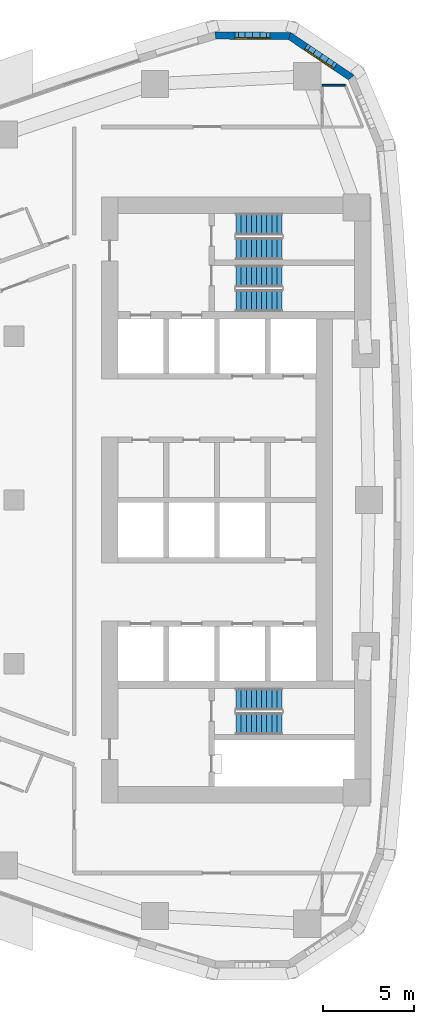
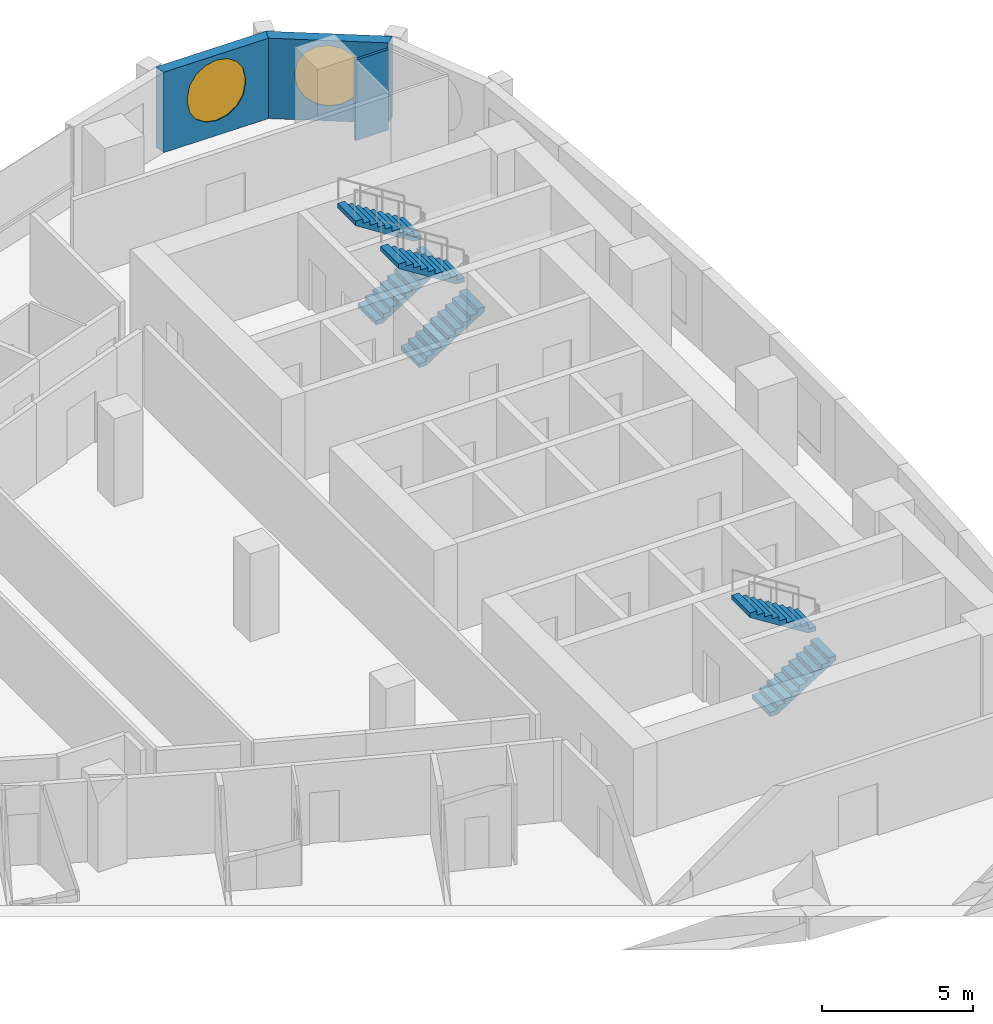
# One storey, part 13 of 17: 6 stair flights, 3 walls, 2 windows, 2 openings, 3 elements without a shape of their own.
"""IFC4 building model written with IfcOpenShell, lengths in metres."""

from ifc_helpers import new_model, si_unit, direction, frame, frame_2d, origin, place, context, subcontext, project, spatial, polyline, rectangle, outline, extrude, material, layer, layer_set, type_object, element, fill, aggregate, save


model = new_model("IFC4")

# Units and contexts
model_context = context("Model", 3, precision=1e-05, world=origin(), true_north=direction((0.0, 1.0)))
body_context = subcontext(model_context, "Body", "Model", "MODEL_VIEW")
ifc_project = project(units=[si_unit("LENGTHUNIT", "METRE"), si_unit("AREAUNIT", "SQUARE_METRE"), si_unit("VOLUMEUNIT", "CUBIC_METRE"), si_unit("PLANEANGLEUNIT", "RADIAN"), si_unit("MASSUNIT", "GRAM", prefix="KILO")], contexts=[model_context])

# Site, building, storey
site_placement = place(None, origin())
site = spatial("IfcSite", under=ifc_project, at=site_placement, CompositionType="ELEMENT")
building_placement = place(site_placement, origin())
building = spatial("IfcBuilding", under=site, at=building_placement, Name="Ostrand Prow Hotel Tower", CompositionType="ELEMENT")
storey_placement = place(building_placement, frame((0.0, 0.0, 137.300048828125)))
storey = spatial("IfcBuildingStorey", under=building, at=storey_placement, Name="L33", CompositionType="ELEMENT", Elevation=137.300048828125)

# Wall
ifc_material_1 = material(Name="Plasterboard partition")
ifc_layer_1 = layer(ifc_material_1, 0.10009765625)
ifc_layer_set_1 = layer_set([ifc_layer_1], Name="Plasterboard partition")
wall_type_1 = type_object("IfcWallType", Name="Partition 100 bathroom wall", PredefinedType="PARTITIONING", material=ifc_layer_set_1)
wall_1_placement = place(storey_placement, frame((61.9375, 22.800048828125, 0.0), z_axis=(0.0, 0.0, 1.0), x_axis=(1.0, 0.0, 0.0)))
element("IfcWall", 1, at=wall_1_placement, inside=storey, type_object=wall_type_1, Name="BATHROOM WALL", PredefinedType="PARTITIONING", context=body_context, shape_type="SweptSolid", body=[
    extrude(rectangle(XDim=1.2607421875, YDim=0.10009765625, at=frame_2d((0.63037109375, 0.0))), origin(), (0.0, 0.0, 1.0), 3.25),
])

# Wall, opening, window
ifc_material_2 = material(Name="Precast concrete C40/50", Category="concrete")
ifc_layer_2 = layer(ifc_material_2, 0.39990234375)
ifc_layer_set_2 = layer_set([ifc_layer_2], Name="Precast concrete C40/50")
wall_type_2 = type_object("IfcWallType", Name="Stone-faced precast wall 400 mm", PredefinedType="NOTDEFINED", material=ifc_layer_set_2)
wall_2_placement = place(storey_placement, frame((63.5302734375, 23.218505859375, 0.0), z_axis=(0.0, 0.0, 1.0), x_axis=(-0.829642062482, 0.558295663749, 0.0)))
wall_2 = element("IfcWall", 2, at=wall_2_placement, inside=storey, type_object=wall_type_2, Name="Stone-faced wall back 15", PredefinedType="NOTDEFINED", context=body_context, shape_type="SweptSolid", body=[
    extrude(outline(polyline([(-0.060302734375, -0.199951171875), (4.144287109375, -0.199951171875), (4.023681640625, 0.199951171875), (0.060302734375, 0.199951171875), (-0.060302734375, -0.199951171875)])), origin(), (0.0, 0.0, 1.0), 3.25),
])
opening_1_placement = place(wall_2_placement, frame((0.94189453125, 0.0, 0.60009765625)))
opening_1 = element("IfcOpeningElement", 3, at=opening_1_placement, cuts=wall_2, Name="Opening WP2", PredefinedType="OPENING", context=body_context, shape_type="SweptSolid", body=[
    extrude(outline(polyline([(0.0, 1.35009765625), (0.083740234375, 1.77099609375), (0.322265625, 2.127685546875), (0.678955078125, 2.3662109375), (1.10009765625, 2.449951171875), (1.52099609375, 2.3662109375), (1.877685546875, 2.127685546875), (2.1162109375, 1.77099609375), (2.199951171875, 1.35009765625), (2.199951171875, 1.10009765625), (2.1162109375, 0.678955078125), (1.877685546875, 0.322265625), (1.52099609375, 0.083740234375), (1.10009765625, 0.0), (0.678955078125, 0.083740234375), (0.322265625, 0.322265625), (0.083740234375, 0.678955078125), (0.0, 1.099853515625), (0.0, 1.35009765625)])), frame((0.0, 0.2099609375, 0.0), z_axis=(0.0, -1.0, 0.0), x_axis=(1.0, 0.0, 0.0)), (0.0, 0.0, 1.0), 0.419921875),
])
ifc_material_3 = material(Name="Insulated glass in bronze frame", Category="glass")
window_type = type_object("IfcWindowType", Name="Round-ended prow lounge window 2200x2450", PartitioningType="SINGLE_PANEL", PredefinedType="WINDOW", material=ifc_material_3)
window_1_placement = place(opening_1_placement, origin())
window_1 = element("IfcWindow", 4, at=window_1_placement, inside=storey, type_object=window_type, Name="Window back 15.1", OverallHeight=2.449951171875, OverallWidth=2.199951171875, PartitioningType="SINGLE_PANEL", PredefinedType="WINDOW", context=body_context, shape_type="SweptSolid", body=[
    extrude(outline(polyline([(0.0, 1.35009765625), (0.083740234375, 1.77099609375), (0.322265625, 2.127685546875), (0.678955078125, 2.3662109375), (1.10009765625, 2.449951171875), (1.52099609375, 2.3662109375), (1.877685546875, 2.127685546875), (2.1162109375, 1.77099609375), (2.199951171875, 1.35009765625), (2.199951171875, 1.10009765625), (2.1162109375, 0.678955078125), (1.877685546875, 0.322265625), (1.52099609375, 0.083740234375), (1.10009765625, 0.0), (0.678955078125, 0.083740234375), (0.322265625, 0.322265625), (0.083740234375, 0.678955078125), (0.0, 1.099853515625), (0.0, 1.35009765625)])), frame((0.0, 0.169921875, 0.0), z_axis=(0.0, -1.0, 0.0), x_axis=(1.0, 0.0, 0.0)), (0.0, 0.0, 1.0), 0.06005859375),
])
fill(opening_1, window_1)

wall_3_placement = place(storey_placement, frame((60.14208984375, 25.49853515625, 0.0), z_axis=(0.0, 0.0, 1.0), x_axis=(-0.99996933771, 0.007830941131, 0.0)))
wall_3 = element("IfcWall", 5, at=wall_3_placement, inside=storey, type_object=wall_type_2, Name="Stone-faced wall back 16", PredefinedType="NOTDEFINED", context=body_context, shape_type="SweptSolid", body=[
    extrude(outline(polyline([(-0.060302734375, -0.199951171875), (4.11474609375, -0.199951171875), (4.0537109375, 0.199951171875), (0.060302734375, 0.199951171875), (-0.060302734375, -0.199951171875)])), origin(), (0.0, 0.0, 1.0), 3.25),
])
opening_2_placement = place(wall_3_placement, frame((0.94189453125, 0.0, 0.60009765625)))
opening_2 = element("IfcOpeningElement", 6, at=opening_2_placement, cuts=wall_3, Name="Opening WP2", PredefinedType="OPENING", context=body_context, shape_type="SweptSolid", body=[
    extrude(outline(polyline([(0.0, 1.35009765625), (0.083740234375, 1.77099609375), (0.322265625, 2.127685546875), (0.678955078125, 2.3662109375), (1.10009765625, 2.449951171875), (1.52099609375, 2.3662109375), (1.877685546875, 2.127685546875), (2.1162109375, 1.77099609375), (2.199951171875, 1.35009765625), (2.199951171875, 1.10009765625), (2.1162109375, 0.678955078125), (1.877685546875, 0.322265625), (1.52099609375, 0.083740234375), (1.10009765625, 0.0), (0.678955078125, 0.083740234375), (0.322265625, 0.322265625), (0.083740234375, 0.678955078125), (0.0, 1.099853515625), (0.0, 1.35009765625)])), frame((0.0, 0.2099609375, 0.0), z_axis=(0.0, -1.0, 0.0), x_axis=(1.0, 0.0, 0.0)), (0.0, 0.0, 1.0), 0.419921875),
])
window_2_placement = place(opening_2_placement, origin())
window_2 = element("IfcWindow", 7, at=window_2_placement, inside=storey, type_object=window_type, Name="Window back 16.1", OverallHeight=2.449951171875, OverallWidth=2.199951171875, PartitioningType="SINGLE_PANEL", PredefinedType="WINDOW", context=body_context, shape_type="SweptSolid", body=[
    extrude(outline(polyline([(0.0, 1.35009765625), (0.083740234375, 1.77099609375), (0.322265625, 2.127685546875), (0.678955078125, 2.3662109375), (1.10009765625, 2.449951171875), (1.52099609375, 2.3662109375), (1.877685546875, 2.127685546875), (2.1162109375, 1.77099609375), (2.199951171875, 1.35009765625), (2.199951171875, 1.10009765625), (2.1162109375, 0.678955078125), (1.877685546875, 0.322265625), (1.52099609375, 0.083740234375), (1.10009765625, 0.0), (0.678955078125, 0.083740234375), (0.322265625, 0.322265625), (0.083740234375, 0.678955078125), (0.0, 1.099853515625), (0.0, 1.35009765625)])), frame((0.0, 0.169921875, 0.0), z_axis=(0.0, -1.0, 0.0), x_axis=(1.0, 0.0, 0.0)), (0.0, 0.0, 1.0), 0.06005859375),
])
fill(opening_2, window_2)

# Stair, stair flights
ifc_material_4 = material(Name="Concrete C40/50", Category="concrete")
stair_type = type_object("IfcStairType", Name="Exit stair 1200 upper zone", PredefinedType="HALF_TURN_STAIR", material=ifc_material_4)
stair_1_placement = place(storey_placement, origin())
stair_1 = element("IfcStair", 8, at=stair_1_placement, inside=storey, type_object=stair_type, Name="L33 ST1C", PredefinedType="HALF_TURN_STAIR")
ifc_material_5 = material(Name="Concrete C40/50", Category="concrete")
stair_flight_type = type_object("IfcStairFlightType", Name="Stair flight 1200 concrete", PredefinedType="STRAIGHT", material=ifc_material_5)
stair_flight_1_placement = place(storey_placement, frame((57.199951171875, 10.949951171875, 0.0), z_axis=(0.0, 0.0, 1.0), x_axis=(1.0, 0.0, 0.0)))
stair_flight_1 = element("IfcStairFlight", 9, at=stair_flight_1_placement, type_object=stair_flight_type, Name="ST1C flight 1", NumberOfRisers=10, NumberOfTreads=9, PredefinedType="STRAIGHT", RiserHeight=0.1775, TreadLength=0.28, context=body_context, shape_type="SweptSolid", body=[
    extrude(outline(polyline([(0.0, 0.0), (0.0, 0.177490234375), (0.280029296875, 0.177490234375), (0.280029296875, 0.35498046875), (0.56005859375, 0.35498046875), (0.56005859375, 0.532470703125), (0.840087890625, 0.532470703125), (0.840087890625, 0.7099609375), (1.1201171875, 0.7099609375), (1.1201171875, 0.887451171875), (1.39990234375, 0.887451171875), (1.39990234375, 1.06494140625), (1.679931640625, 1.06494140625), (1.679931640625, 1.242431640625), (1.9599609375, 1.242431640625), (1.9599609375, 1.419921875), (2.239990234375, 1.419921875), (2.239990234375, 1.597412109375), (2.52001953125, 1.597412109375), (2.52001953125, 1.77490234375), (2.52001953125, 1.419921875), (0.280029296875, 0.0), (0.0, 0.0)])), frame((0.0, 0.60009765625, 0.0), z_axis=(0.0, -1.0, 0.0), x_axis=(1.0, 0.0, 0.0)), (0.0, 0.0, 1.0), 1.199951171875),
])
stair_flight_2_placement = place(storey_placement, frame((59.719970703125, 12.300048828125, 1.77490234375), z_axis=(0.0, 0.0, 1.0), x_axis=(-1.0, 0.0, 0.0)))
stair_flight_2 = element("IfcStairFlight", 10, at=stair_flight_2_placement, type_object=stair_flight_type, Name="ST1C flight 2", NumberOfRisers=10, NumberOfTreads=9, PredefinedType="STRAIGHT", RiserHeight=0.1775, TreadLength=0.28, context=body_context, shape_type="SweptSolid", body=[
    extrude(outline(polyline([(0.0, 0.0), (0.0, 0.177490234375), (0.280029296875, 0.177490234375), (0.280029296875, 0.35498046875), (0.56005859375, 0.35498046875), (0.56005859375, 0.532470703125), (0.840087890625, 0.532470703125), (0.840087890625, 0.7099609375), (1.1201171875, 0.7099609375), (1.1201171875, 0.887451171875), (1.39990234375, 0.887451171875), (1.39990234375, 1.06494140625), (1.679931640625, 1.06494140625), (1.679931640625, 1.242431640625), (1.9599609375, 1.242431640625), (1.9599609375, 1.419921875), (2.239990234375, 1.419921875), (2.239990234375, 1.597412109375), (2.52001953125, 1.597412109375), (2.52001953125, 1.77490234375), (2.52001953125, 1.419921875), (0.280029296875, 0.0), (0.0, 0.0)])), frame((0.0, 0.60009765625, 0.0), z_axis=(0.0, -1.0, 0.0), x_axis=(1.0, 0.0, 0.0)), (0.0, 0.0, 1.0), 1.199951171875),
])
aggregate(stair_1, [stair_flight_1, stair_flight_2])

stair_2_placement = place(storey_placement, origin())
stair_2 = element("IfcStair", 11, at=stair_2_placement, inside=storey, type_object=stair_type, Name="L33 ST3C", PredefinedType="HALF_TURN_STAIR")
stair_flight_3_placement = place(storey_placement, frame((57.199951171875, 13.800048828125, 0.0), z_axis=(0.0, 0.0, 1.0), x_axis=(1.0, 0.0, 0.0)))
stair_flight_3 = element("IfcStairFlight", 12, at=stair_flight_3_placement, type_object=stair_flight_type, Name="ST3C flight 1", NumberOfRisers=10, NumberOfTreads=9, PredefinedType="STRAIGHT", RiserHeight=0.1775, TreadLength=0.28, context=body_context, shape_type="SweptSolid", body=[
    extrude(outline(polyline([(0.0, 0.0), (0.0, 0.177490234375), (0.280029296875, 0.177490234375), (0.280029296875, 0.35498046875), (0.56005859375, 0.35498046875), (0.56005859375, 0.532470703125), (0.840087890625, 0.532470703125), (0.840087890625, 0.7099609375), (1.1201171875, 0.7099609375), (1.1201171875, 0.887451171875), (1.39990234375, 0.887451171875), (1.39990234375, 1.06494140625), (1.679931640625, 1.06494140625), (1.679931640625, 1.242431640625), (1.9599609375, 1.242431640625), (1.9599609375, 1.419921875), (2.239990234375, 1.419921875), (2.239990234375, 1.597412109375), (2.52001953125, 1.597412109375), (2.52001953125, 1.77490234375), (2.52001953125, 1.419921875), (0.280029296875, 0.0), (0.0, 0.0)])), frame((0.0, 0.60009765625, 0.0), z_axis=(0.0, -1.0, 0.0), x_axis=(1.0, 0.0, 0.0)), (0.0, 0.0, 1.0), 1.199951171875),
])
stair_flight_4_placement = place(storey_placement, frame((59.719970703125, 15.14990234375, 1.77490234375), z_axis=(0.0, 0.0, 1.0), x_axis=(-1.0, 0.0, 0.0)))
stair_flight_4 = element("IfcStairFlight", 13, at=stair_flight_4_placement, type_object=stair_flight_type, Name="ST3C flight 2", NumberOfRisers=10, NumberOfTreads=9, PredefinedType="STRAIGHT", RiserHeight=0.1775, TreadLength=0.28, context=body_context, shape_type="SweptSolid", body=[
    extrude(outline(polyline([(0.0, 0.0), (0.0, 0.177490234375), (0.280029296875, 0.177490234375), (0.280029296875, 0.35498046875), (0.56005859375, 0.35498046875), (0.56005859375, 0.532470703125), (0.840087890625, 0.532470703125), (0.840087890625, 0.7099609375), (1.1201171875, 0.7099609375), (1.1201171875, 0.887451171875), (1.39990234375, 0.887451171875), (1.39990234375, 1.06494140625), (1.679931640625, 1.06494140625), (1.679931640625, 1.242431640625), (1.9599609375, 1.242431640625), (1.9599609375, 1.419921875), (2.239990234375, 1.419921875), (2.239990234375, 1.597412109375), (2.52001953125, 1.597412109375), (2.52001953125, 1.77490234375), (2.52001953125, 1.419921875), (0.280029296875, 0.0), (0.0, 0.0)])), frame((0.0, 0.60009765625, 0.0), z_axis=(0.0, -1.0, 0.0), x_axis=(1.0, 0.0, 0.0)), (0.0, 0.0, 1.0), 1.199951171875),
])
aggregate(stair_2, [stair_flight_3, stair_flight_4])

stair_3_placement = place(storey_placement, origin())
stair_3 = element("IfcStair", 14, at=stair_3_placement, inside=storey, type_object=stair_type, Name="L33 ST2C", PredefinedType="HALF_TURN_STAIR")
stair_flight_5_placement = place(storey_placement, frame((57.199951171875, -12.300048828125, 0.0), z_axis=(0.0, 0.0, 1.0), x_axis=(1.0, 0.0, 0.0)))
stair_flight_5 = element("IfcStairFlight", 15, at=stair_flight_5_placement, type_object=stair_flight_type, Name="ST2C flight 1", NumberOfRisers=10, NumberOfTreads=9, PredefinedType="STRAIGHT", RiserHeight=0.1775, TreadLength=0.28, context=body_context, shape_type="SweptSolid", body=[
    extrude(outline(polyline([(0.0, 0.0), (0.0, 0.177490234375), (0.280029296875, 0.177490234375), (0.280029296875, 0.35498046875), (0.56005859375, 0.35498046875), (0.56005859375, 0.532470703125), (0.840087890625, 0.532470703125), (0.840087890625, 0.7099609375), (1.1201171875, 0.7099609375), (1.1201171875, 0.887451171875), (1.39990234375, 0.887451171875), (1.39990234375, 1.06494140625), (1.679931640625, 1.06494140625), (1.679931640625, 1.242431640625), (1.9599609375, 1.242431640625), (1.9599609375, 1.419921875), (2.239990234375, 1.419921875), (2.239990234375, 1.597412109375), (2.52001953125, 1.597412109375), (2.52001953125, 1.77490234375), (2.52001953125, 1.419921875), (0.280029296875, 0.0), (0.0, 0.0)])), frame((0.0, 0.60009765625, 0.0), z_axis=(0.0, -1.0, 0.0), x_axis=(1.0, 0.0, 0.0)), (0.0, 0.0, 1.0), 1.199951171875),
])
stair_flight_6_placement = place(storey_placement, frame((59.719970703125, -10.949951171875, 1.77490234375), z_axis=(0.0, 0.0, 1.0), x_axis=(-1.0, 0.0, 0.0)))
stair_flight_6 = element("IfcStairFlight", 16, at=stair_flight_6_placement, type_object=stair_flight_type, Name="ST2C flight 2", NumberOfRisers=10, NumberOfTreads=9, PredefinedType="STRAIGHT", RiserHeight=0.1775, TreadLength=0.28, context=body_context, shape_type="SweptSolid", body=[
    extrude(outline(polyline([(0.0, 0.0), (0.0, 0.177490234375), (0.280029296875, 0.177490234375), (0.280029296875, 0.35498046875), (0.56005859375, 0.35498046875), (0.56005859375, 0.532470703125), (0.840087890625, 0.532470703125), (0.840087890625, 0.7099609375), (1.1201171875, 0.7099609375), (1.1201171875, 0.887451171875), (1.39990234375, 0.887451171875), (1.39990234375, 1.06494140625), (1.679931640625, 1.06494140625), (1.679931640625, 1.242431640625), (1.9599609375, 1.242431640625), (1.9599609375, 1.419921875), (2.239990234375, 1.419921875), (2.239990234375, 1.597412109375), (2.52001953125, 1.597412109375), (2.52001953125, 1.77490234375), (2.52001953125, 1.419921875), (0.280029296875, 0.0), (0.0, 0.0)])), frame((0.0, 0.60009765625, 0.0), z_axis=(0.0, -1.0, 0.0), x_axis=(1.0, 0.0, 0.0)), (0.0, 0.0, 1.0), 1.199951171875),
])
aggregate(stair_3, [stair_flight_5, stair_flight_6])

save(model, "model.ifc")
